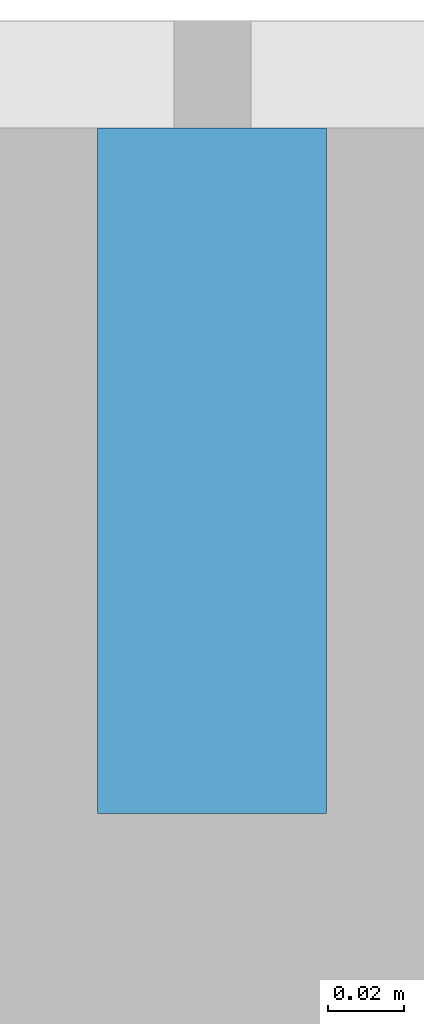
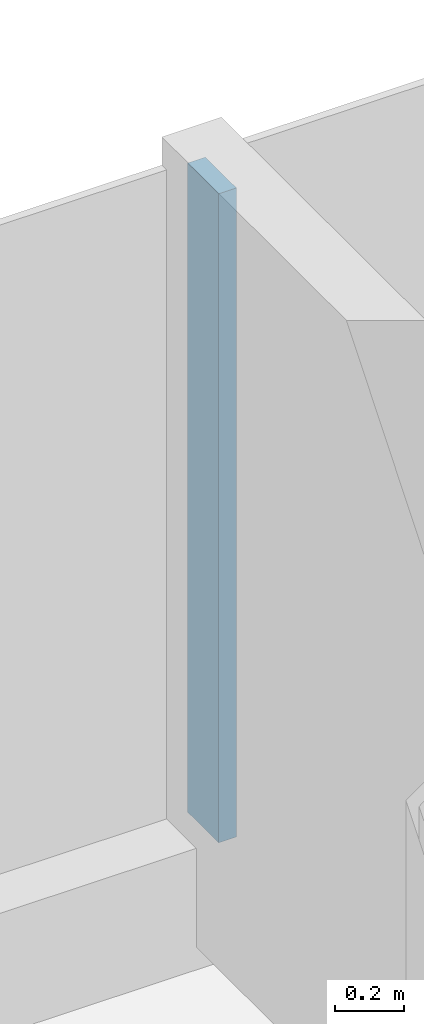
# One storey, part 8 of 26: 1 member, 1 element without a shape of its own.
"""IFC4 building model written with IfcOpenShell, lengths in metres."""

import ifcopenshell
import ifcopenshell.guid

model = None  # the IFC model being written
_history = None  # IfcOwnerHistory: only IFC2X3 demands one
_inside = {}  # id of a spatial element -> (the spatial element, [elements in it])
_under = {}  # id of a project, library or spatial element -> (it, [spatial elements below it])
_declared = {}  # id of a project -> (the project, [libraries it declares])
_typed = {}  # id of a type object -> (the type object, [elements of that type])
_made_of = {}  # id of a material, layer set ... -> (it, [elements and type objects made of it])


def new_model(schema):
    """Start an empty IFC model of exactly this schema.

    Asked for "IFC4X3", IfcOpenShell would pick the latest addendum, in which some entities
    have other attributes; the version numbers below select the first issue.
    IFC2X3 requires an IfcOwnerHistory on every rooted entity: one is made here for all.
    """
    global model, _history
    if schema == "IFC4X3":
        model = ifcopenshell.file(schema_version=(4, 3, 0, 0))
    else:
        model = ifcopenshell.file(schema=schema)
    _inside.clear()
    _under.clear()
    _declared.clear()
    _typed.clear()
    _made_of.clear()
    _history = None
    if model.schema == "IFC2X3":
        org = make("IfcOrganization", Name="unknown")
        user = make(
            "IfcPersonAndOrganization",
            ThePerson=make("IfcPerson", FamilyName="unknown"),
            TheOrganization=org,
        )
        app = make(
            "IfcApplication",
            ApplicationDeveloper=org,
            Version="unknown",
            ApplicationFullName="unknown",
            ApplicationIdentifier="unknown",
        )
        _history = make(
            "IfcOwnerHistory",
            OwningUser=user,
            OwningApplication=app,
            ChangeAction="ADDED",
            CreationDate=0,
        )
    return model


def make(cls, **values):
    """One entity of the class cls with the attributes given. An attribute that is None is left unset."""
    return model.create_entity(
        cls, **{name: value for name, value in values.items() if value is not None}
    )


def rooted(cls, **values):
    """An entity with a GlobalId (a new one), such as an element, a storey or a relation."""
    return make(cls, GlobalId=ifcopenshell.guid.new(), OwnerHistory=_history, **values)


def si_unit(unit_type, name, prefix=None):
    """IfcSIUnit, for example si_unit("LENGTHUNIT", "METRE", prefix="MILLI")."""
    return make("IfcSIUnit", UnitType=unit_type, Prefix=prefix, Name=name)


def assignment(units):
    """IfcUnitAssignment: the units of a project."""
    return None if units is None else make("IfcUnitAssignment", Units=units)


def point(xyz):
    """IfcCartesianPoint."""
    return None if xyz is None else make("IfcCartesianPoint", Coordinates=xyz)


def direction(xyz):
    """IfcDirection."""
    return None if xyz is None else make("IfcDirection", DirectionRatios=xyz)


def frame(location, z_axis=None, x_axis=None):
    """IfcAxis2Placement3D, a coordinate frame: its origin and axes. An axis left out is left unset."""
    return make(
        "IfcAxis2Placement3D",
        Location=point(location),
        Axis=direction(z_axis),
        RefDirection=direction(x_axis),
    )


def frame_2d(location, x_axis=None):
    """IfcAxis2Placement2D, a coordinate frame in the plane: its origin and x axis."""
    return make(
        "IfcAxis2Placement2D", Location=point(location), RefDirection=direction(x_axis)
    )


def origin():
    """The frame at (0, 0, 0) with its axes left unset."""
    return frame((0.0, 0.0, 0.0))


def origin_2d():
    """The frame at (0, 0) in the plane with its x axis left unset."""
    return frame_2d((0.0, 0.0))


def place(relative_to, where):
    """IfcLocalPlacement: puts the frame where relative to a parent placement (None: the world)."""
    return make(
        "IfcLocalPlacement", PlacementRelTo=relative_to, RelativePlacement=where
    )


def context(
    kind, dimensions, precision=None, world=None, true_north=None, identifier=None
):
    """IfcGeometricRepresentationContext, for example the 3D "Model" context."""
    return make(
        "IfcGeometricRepresentationContext",
        ContextIdentifier=identifier,
        ContextType=kind,
        CoordinateSpaceDimension=dimensions,
        Precision=precision,
        WorldCoordinateSystem=world,
        TrueNorth=true_north,
    )


def subcontext(parent, identifier, kind, view, scale=None):
    """IfcGeometricRepresentationSubContext, for example "Body" below "Model"."""
    return make(
        "IfcGeometricRepresentationSubContext",
        ContextIdentifier=identifier,
        ContextType=kind,
        ParentContext=parent,
        TargetScale=scale,
        TargetView=view,
    )


def project(units=None, contexts=None):
    """IfcProject with its units and contexts."""
    return rooted(
        "IfcProject",
        Name="project",
        RepresentationContexts=contexts,
        UnitsInContext=assignment(units),
    )


def spatial(cls, under=None, at=None, **own):
    """A site, building, storey or space (cls), placed at a placement, below another one or the project."""
    s = rooted(cls, ObjectPlacement=at, **own)
    if under is not None:
        _under.setdefault(under.id(), (under, []))[1].append(s)
    return s


def profile(cls, at=None, kind="AREA", **sizes):
    """A parametric profile (cls). Its sizes go by their IFC names, for example OverallWidth=200.0."""
    return make(cls, ProfileType=kind, Position=at, **sizes)


def rectangle(**sizes):
    """IfcRectangleProfileDef."""
    return profile("IfcRectangleProfileDef", **sizes)


def extrude(swept, where, along, depth):
    """IfcExtrudedAreaSolid: the profile swept, set in the frame where, extruded along a direction by depth."""
    return make(
        "IfcExtrudedAreaSolid",
        SweptArea=swept,
        Position=where,
        ExtrudedDirection=direction(along),
        Depth=depth,
    )


def shape(context_of_items, identifier, shape_type, items):
    """IfcShapeRepresentation: the items that make up one representation, for example the "Body"."""
    return make(
        "IfcShapeRepresentation",
        ContextOfItems=context_of_items,
        RepresentationIdentifier=identifier,
        RepresentationType=shape_type,
        Items=items,
    )


def material(Name=None, Category=None):
    """IfcMaterial."""
    return make("IfcMaterial", Name=Name, Category=Category)


def layer(
    of_material, thickness, ventilated=None, Name=None, Category=None, Priority=None
):
    """IfcMaterialLayer: one layer of a wall or slab, of a material (None: an air gap)."""
    return make(
        "IfcMaterialLayer",
        Material=of_material,
        LayerThickness=thickness,
        IsVentilated=ventilated,
        Name=Name,
        Category=Category,
        Priority=Priority,
    )


def layer_set(layers, Name=None):
    """IfcMaterialLayerSet."""
    return make("IfcMaterialLayerSet", MaterialLayers=layers, LayerSetName=Name)


def material_profile(
    of_material, cross_section, Name=None, Category=None, Priority=None
):
    """IfcMaterialProfile: a cross section and its material."""
    return make(
        "IfcMaterialProfile",
        Name=Name,
        Material=of_material,
        Profile=cross_section,
        Priority=Priority,
        Category=Category,
    )


def profile_set(profiles, Name=None, composite=None):
    """IfcMaterialProfileSet."""
    return make(
        "IfcMaterialProfileSet",
        Name=Name,
        MaterialProfiles=profiles,
        CompositeProfile=composite,
    )


def made_of(thing, what):
    """Note that an element or type object is made of a material, layer set ...; save() writes the relation."""
    if what is not None:
        _made_of.setdefault(what.id(), (what, []))[1].append(thing)
    return thing


def type_object(cls, material=None, **own):
    """A type object (cls), such as IfcWallType, which elements share."""
    return made_of(rooted(cls, **own), material)


def element(
    cls,
    number,
    at=None,
    inside=None,
    cuts=None,
    type_object=None,
    material=None,
    context=None,
    identifier="Body",
    shape_type=None,
    held_by="IfcProductDefinitionShape",
    body=None,
    shapes=None,
    **own,
):
    """One element of the class cls, such as IfcWall. Its Tag is "e" and its number.

    at: its placement. inside: the storey or other place that contains it. cuts: it is an
    opening in that element (IfcRelVoidsElement). A single representation is given by context,
    identifier, shape_type and body (its items); several are given by shapes. held_by: the class
    of the entity that holds the representations. save() writes the other relations.
    """
    e = rooted(cls, Tag="e%d" % number, ObjectPlacement=at, **own)
    if body is not None:
        shapes = [shape(context, identifier, shape_type, body)]
    if shapes is not None:
        e.Representation = make(held_by, Representations=shapes)
    if inside is not None:
        _inside.setdefault(inside.id(), (inside, []))[1].append(e)
    if cuts is not None:
        rooted(
            "IfcRelVoidsElement", RelatingBuildingElement=cuts, RelatedOpeningElement=e
        )
    if type_object is not None:
        _typed.setdefault(type_object.id(), (type_object, []))[1].append(e)
    return made_of(e, material)


def aggregate(whole, parts):
    """IfcRelAggregates: a whole, such as a stair, and the parts it consists of."""
    return rooted("IfcRelAggregates", RelatingObject=whole, RelatedObjects=parts)


def save(model, path):
    """Write the relations noted so far, then the file.

    IfcRelAggregates (storeys below a building ...), IfcRelContainedInSpatialStructure (elements
    in a storey), IfcRelDefinesByType, IfcRelAssociatesMaterial and IfcRelDeclares: one each for
    every whole, place, type object, material and project.
    """
    for whole, parts in _under.values():
        aggregate(whole, parts)
    for where, things in _inside.values():
        rooted(
            "IfcRelContainedInSpatialStructure",
            RelatedElements=things,
            RelatingStructure=where,
        )
    for kind, things in _typed.values():
        rooted("IfcRelDefinesByType", RelatedObjects=things, RelatingType=kind)
    for what, things in _made_of.values():
        rooted("IfcRelAssociatesMaterial", RelatedObjects=things, RelatingMaterial=what)
    for by, libraries in _declared.values():
        rooted("IfcRelDeclares", RelatingContext=by, RelatedDefinitions=libraries)
    model.write(path)


model = new_model("IFC4")

# Units and contexts
model_context = context("Model", 3, precision=1e-05, world=origin(), true_north=direction((0.0, 1.0)))
body_context = subcontext(model_context, "Body", "Model", "MODEL_VIEW")
ifc_project = project(units=[si_unit("LENGTHUNIT", "METRE"), si_unit("AREAUNIT", "SQUARE_METRE"), si_unit("VOLUMEUNIT", "CUBIC_METRE"), si_unit("PLANEANGLEUNIT", "RADIAN"), si_unit("MASSUNIT", "GRAM", prefix="KILO")], contexts=[model_context])

# Site, building, storey
site_placement = place(None, origin())
site = spatial("IfcSite", under=ifc_project, at=site_placement, CompositionType="ELEMENT")
building_placement = place(site_placement, origin())
building = spatial("IfcBuilding", under=site, at=building_placement, Name="Hakoniwa Tower and Hamabe Station Hall", CompositionType="ELEMENT")
storey_placement = place(building_placement, frame((0.0, 0.0, 140.60009765625)))
storey = spatial("IfcBuildingStorey", under=building, at=storey_placement, Name="L39", CompositionType="ELEMENT", Elevation=140.60009765625)

# Curtain wall, member
ifc_material_1 = material(Name="Dark low-e laminated glass", Category="glass")
ifc_layer = layer(ifc_material_1, 0.199951171875)
ifc_layer_set = layer_set([ifc_layer], Name="CW-1 UNITISED GUEST")
curtain_wall_type = type_object("IfcCurtainWallType", Name="CW-1 UNITISED GUEST", PredefinedType="NOTDEFINED", material=ifc_layer_set)
curtain_wall_placement = place(storey_placement, origin())
curtain_wall = element("IfcCurtainWall", 1, at=curtain_wall_placement, inside=storey, type_object=curtain_wall_type, Name="CW-1 curtain wall", PredefinedType="NOTDEFINED")
ifc_material_2 = material(Name="Aluminium 6063-T5 black anodised", Category="aluminium")
ifc_material_profile = material_profile(ifc_material_2, rectangle(XDim=0.06005859375, YDim=0.179931640625, at=origin_2d()), Name="CW-1 MULLION 60X180")
ifc_profile_set = profile_set([ifc_material_profile], Name="Aluminium 6063-T5 black anodised")
member_type = type_object("IfcMemberType", Name="CW-1 MULLION 60X180", PredefinedType="MULLION", material=ifc_profile_set)
member_placement = place(storey_placement, frame((8.39990234375, 18.181884765625, 0.349853515625), z_axis=(0.0, 0.0, 1.0), x_axis=(-1.0, 0.0, 0.0)))
member = element("IfcMember", 2, at=member_placement, type_object=member_type, Name="CW-1 mullion", PredefinedType="MULLION", context=body_context, shape_type="SweptSolid", body=[
    extrude(rectangle(XDim=0.06005859375, YDim=0.179931640625, at=origin_2d()), origin(), (0.0, 0.0, 1.0), 2.300048828125),
])
aggregate(curtain_wall, [member])

save(model, "model.ifc")
